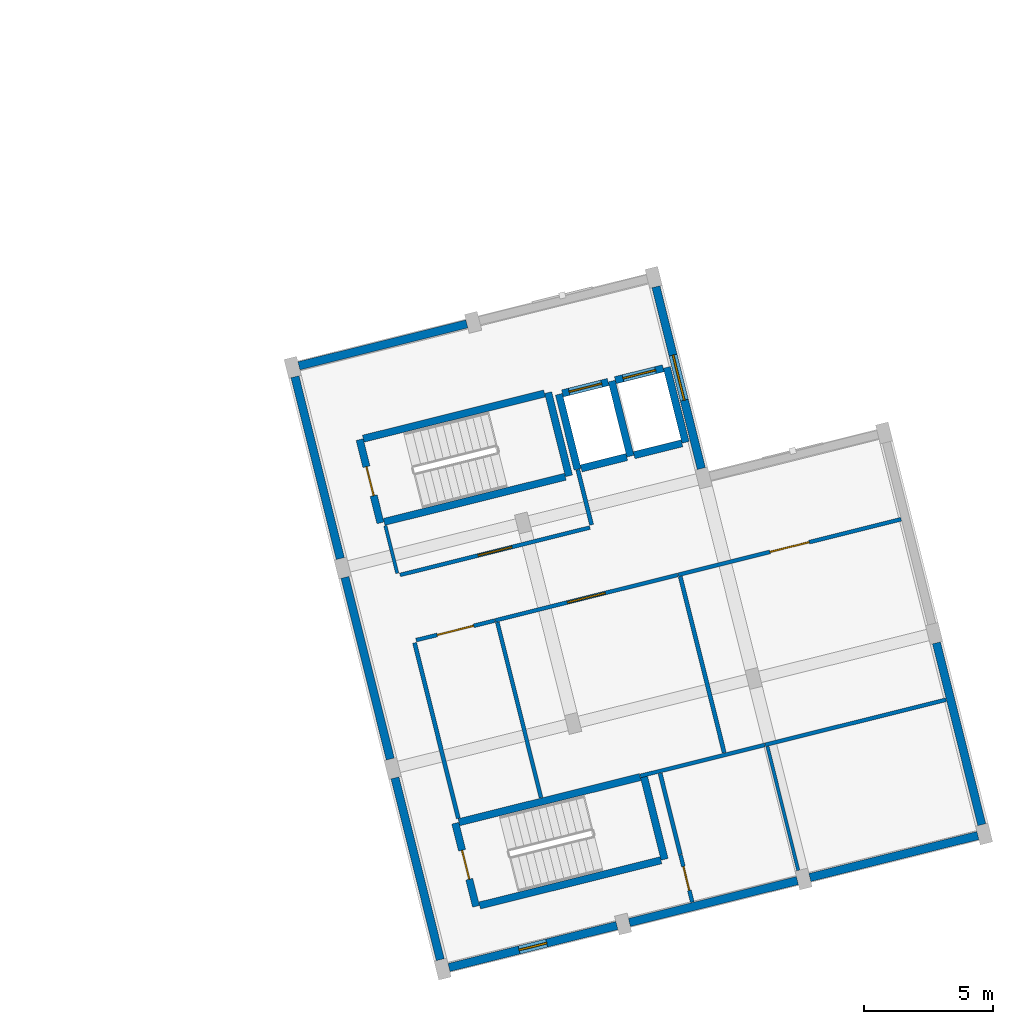
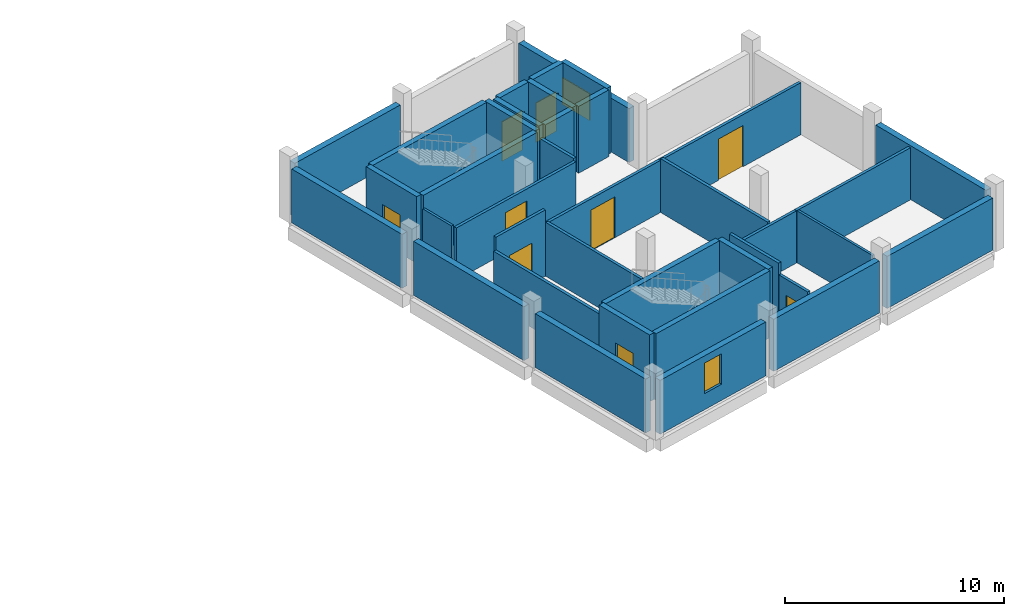
# One storey, part 5 of 8: 38 walls, 9 doors, 2 windows, 11 openings.
"""IFC4 building model written with IfcOpenShell, lengths in metres."""

from ifc_helpers import new_model, si_unit, direction, frame, frame_2d, origin, place, context, subcontext, project, spatial, rectangle, extrude, material, layer, layer_set, type_object, element, fill, save


model = new_model("IFC4")

# Units and contexts
model_context = context("Model", 3, precision=1e-05, world=origin(), true_north=direction((0.0, 1.0)))
body_context = subcontext(model_context, "Body", "Model", "MODEL_VIEW")
ifc_project = project(units=[si_unit("LENGTHUNIT", "METRE"), si_unit("AREAUNIT", "SQUARE_METRE"), si_unit("VOLUMEUNIT", "CUBIC_METRE"), si_unit("PLANEANGLEUNIT", "RADIAN"), si_unit("MASSUNIT", "GRAM", prefix="KILO")], contexts=[model_context])

# Site, building, storey
site_placement = place(None, origin())
site = spatial("IfcSite", under=ifc_project, at=site_placement, CompositionType="ELEMENT")
building_placement = place(site_placement, origin())
building = spatial("IfcBuilding", under=site, at=building_placement, Name="Mawjan Specialist Oncology Clinic", CompositionType="ELEMENT")
storey_placement = place(building_placement, frame((0.0, 0.0, 21.5)))
storey = spatial("IfcBuildingStorey", under=building, at=storey_placement, Name="L05", CompositionType="ELEMENT", Elevation=21.5)

# Wall, opening, window
ifc_material_1 = material(Name="Precast concrete C40/50", Category="concrete")
ifc_layer_1 = layer(ifc_material_1, 0.320068359375, Name="Precast concrete C40/50", Category="concrete")
ifc_layer_set_1 = layer_set([ifc_layer_1], Name="Precast concrete C40/50")
wall_type_1 = type_object("IfcWallType", Name="EW-320", PredefinedType="SOLIDWALL", material=ifc_layer_set_1)
wall_1_placement = place(storey_placement, frame((134.2568359375, 27.20703125, 0.0), z_axis=(0.0, 0.0, 1.0), x_axis=(0.241917549853, -0.970296809782, 0.0)))
wall_1 = element("IfcWall", 1, at=wall_1_placement, inside=storey, type_object=wall_type_1, Name="L05 Coral-Limestone Exterior Wall EW-L05-364", PredefinedType="SOLIDWALL", context=body_context, shape_type="SweptSolid", body=[
    extrude(rectangle(XDim=7.25, YDim=0.320068359375, at=frame_2d((3.625, 0.0))), origin(), (0.0, 0.0, 1.0), 3.0048828125),
])
opening_1_placement = place(wall_1_placement, frame((2.72509765625, 0.0, 0.89990234375)))
opening_1 = element("IfcOpeningElement", 2, at=opening_1_placement, cuts=wall_1, Name="Opening WN-22", PredefinedType="OPENING", context=body_context, shape_type="SweptSolid", body=[
    extrude(rectangle(XDim=1.800048828125, YDim=1.5, at=frame_2d((0.89990234375, 0.75))), frame((0.0, 0.172119140625, 0.0), z_axis=(0.0, -1.0, 0.0), x_axis=(1.0, 0.0, 0.0)), (0.0, 0.0, 1.0), 0.343994140625),
])
ifc_material_2 = material(Name="Thermally broken low-E clinical aluminium window", Category="aluminium")
window_type_1 = type_object("IfcWindowType", Name="WN-22", PartitioningType="DOUBLE_PANEL_VERTICAL", PredefinedType="WINDOW", material=ifc_material_2)
window_1_placement = place(opening_1_placement, origin())
window_1 = element("IfcWindow", 3, at=window_1_placement, inside=storey, type_object=window_type_1, Name="L05 Clinical Low-E Window 078", OverallHeight=1.5, OverallWidth=1.800048828125, PartitioningType="DOUBLE_PANEL_VERTICAL", PredefinedType="WINDOW", context=body_context, shape_type="SweptSolid", body=[
    extrude(rectangle(XDim=1.800048828125, YDim=1.5, at=frame_2d((0.89990234375, 0.75))), frame((0.0, 0.030029296875, 0.0), z_axis=(0.0, -1.0, 0.0), x_axis=(1.0, 0.0, 0.0)), (0.0, 0.0, 1.0), 0.06005859375),
])
fill(opening_1, window_1)

# Walls
wall_2_placement = place(storey_placement, frame((145.11376953125, 13.424072265625, 0.0), z_axis=(0.0, 0.0, 1.0), x_axis=(0.241917549853, -0.970296809782, 0.0)))
element("IfcWall", 4, at=wall_2_placement, inside=storey, type_object=wall_type_1, Name="L05 Coral-Limestone Exterior Wall EW-L05-367", PredefinedType="SOLIDWALL", context=body_context, shape_type="SweptSolid", body=[
    extrude(rectangle(XDim=7.25, YDim=0.320068359375, at=frame_2d((3.625, 0.0))), origin(), (0.0, 0.0, 1.0), 3.0048828125),
])
for number, where, z_axis, x_axis, name in (
    (5, (146.7158203125, 5.965087890625, 0.0), (0.0, 0.0, 1.0), (-0.970296633454, -0.241918257079, 0.0), "L05 Coral-Limestone Exterior Wall EW-L05-368"),
    (6, (139.729736328125, 4.22314453125, 0.0), (0.0, 0.0, 1.0), (-0.970296633454, -0.241918257079, 0.0), "L05 Coral-Limestone Exterior Wall EW-L05-369"),
):
    element("IfcWall", number, at=place(storey_placement, frame(where, z_axis=z_axis, x_axis=x_axis)), inside=storey, type_object=wall_type_1, Name=name, PredefinedType="SOLIDWALL", context=body_context, shape_type="SweptSolid", body=[
        extrude(rectangle(XDim=6.699951171875, YDim=0.320068359375, at=frame_2d((3.35009765625, 0.0))), origin(), (0.0, 0.0, 1.0), 2.905029296875),
    ])

# Wall, opening, window
wall_3_placement = place(storey_placement, frame((132.74365234375, 2.4814453125, 0.0), z_axis=(0.0, 0.0, 1.0), x_axis=(-0.970296633454, -0.241918257079, 0.0)))
wall_3 = element("IfcWall", 7, at=wall_3_placement, inside=storey, type_object=wall_type_1, Name="L05 Coral-Limestone Exterior Wall EW-L05-370", PredefinedType="SOLIDWALL", context=body_context, shape_type="SweptSolid", body=[
    extrude(rectangle(XDim=6.699951171875, YDim=0.320068359375, at=frame_2d((3.35009765625, 0.0))), origin(), (0.0, 0.0, 1.0), 3.0048828125),
])
opening_2_placement = place(wall_3_placement, frame((2.800048828125, 0.0, 0.89990234375)))
opening_2 = element("IfcOpeningElement", 8, at=opening_2_placement, cuts=wall_3, Name="Opening WN-07", PredefinedType="OPENING", context=body_context, shape_type="SweptSolid", body=[
    extrude(rectangle(XDim=1.10009765625, YDim=1.699951171875, at=frame_2d((0.550048828125, 0.85009765625))), frame((0.0, 0.172119140625, 0.0), z_axis=(0.0, -1.0, 0.0), x_axis=(1.0, 0.0, 0.0)), (0.0, 0.0, 1.0), 0.343994140625),
])
ifc_material_3 = material(Name="Thermally broken low-E clinical aluminium window", Category="aluminium")
window_type_2 = type_object("IfcWindowType", Name="WN-07", PartitioningType="SINGLE_PANEL", PredefinedType="WINDOW", material=ifc_material_3)
window_2_placement = place(opening_2_placement, origin())
window_2 = element("IfcWindow", 9, at=window_2_placement, inside=storey, type_object=window_type_2, Name="L05 Clinical Low-E Window 079", OverallHeight=1.699951171875, OverallWidth=1.10009765625, PartitioningType="SINGLE_PANEL", PredefinedType="WINDOW", context=body_context, shape_type="SweptSolid", body=[
    extrude(rectangle(XDim=1.10009765625, YDim=1.699951171875, at=frame_2d((0.550048828125, 0.85009765625))), frame((0.0, 0.030029296875, 0.0), z_axis=(0.0, -1.0, 0.0), x_axis=(1.0, 0.0, 0.0)), (0.0, 0.0, 1.0), 0.06005859375),
])
fill(opening_2, window_2)

# Walls
for number, where, z_axis, x_axis, name in (
    (10, (125.9091796875, 1.163818359375, 0.0), (0.0, 0.0, 1.0), (-0.241917549853, 0.970296809782, 0.0), "L05 Coral-Limestone Exterior Wall EW-L05-371"),
    (11, (123.973876953125, 8.92626953125, 0.0), (0.0, 0.0, 1.0), (-0.241917549853, 0.970296809782, 0.0), "L05 Coral-Limestone Exterior Wall EW-L05-372"),
    (12, (122.03857421875, 16.6884765625, 0.0), (0.0, 0.0, 1.0), (-0.241917549853, 0.970296809782, 0.0), "L05 Coral-Limestone Exterior Wall EW-L05-373"),
):
    element("IfcWall", number, at=place(storey_placement, frame(where, z_axis=z_axis, x_axis=x_axis)), inside=storey, type_object=wall_type_1, Name=name, PredefinedType="SOLIDWALL", context=body_context, shape_type="SweptSolid", body=[
        extrude(rectangle(XDim=7.25, YDim=0.320068359375, at=frame_2d((3.625, 0.0))), origin(), (0.0, 0.0, 1.0), 3.0048828125),
    ])
wall_4_placement = place(storey_placement, frame((120.4365234375, 24.1474609375, 0.0), z_axis=(0.0, 0.0, 1.0), x_axis=(0.970288079516, 0.241952563016, 0.0)))
element("IfcWall", 13, at=wall_4_placement, inside=storey, type_object=wall_type_1, Name="L05 Coral-Limestone Exterior Wall EW-L05-374", PredefinedType="SOLIDWALL", context=body_context, shape_type="SweptSolid", body=[
    extrude(rectangle(XDim=6.699951171875, YDim=0.320068359375, at=frame_2d((3.35009765625, 0.0))), origin(), (0.0, 0.0, 1.0), 3.0048828125),
])
ifc_material_4 = material(Name="Concrete C45/55", Category="concrete")
ifc_layer_2 = layer(ifc_material_4, 0.280029296875, Name="Concrete C45/55", Category="concrete")
ifc_layer_set_2 = layer_set([ifc_layer_2], Name="Concrete C45/55")
wall_type_2 = type_object("IfcWallType", Name="SW-300", PredefinedType="SHEAR", material=ifc_layer_set_2)
wall_5_placement = place(storey_placement, frame((123.731201171875, 18.105224609375, 0.0), z_axis=(0.0, 0.0, 1.0), x_axis=(0.970297238923, 0.241915828623, 0.0)))
element("IfcWall", 14, at=wall_5_placement, inside=storey, type_object=wall_type_2, Name="L05 Core K5 Stair Shear Wall 1", PredefinedType="SHEAR", context=body_context, shape_type="SweptSolid", body=[
    extrude(rectangle(XDim=7.22998046875, YDim=0.280029296875, at=frame_2d((3.614990234375, 0.0))), origin(), (0.0, 0.0, 1.0), 3.719970703125),
])
wall_6_placement = place(storey_placement, frame((130.886962890625, 19.889404296875, 0.0), z_axis=(0.0, 0.0, 1.0), x_axis=(-0.241947258837, 0.970289402158, 0.0)))
element("IfcWall", 15, at=wall_6_placement, inside=storey, type_object=wall_type_2, Name="L05 Core K5 Stair Shear Wall 2", PredefinedType="SHEAR", context=body_context, shape_type="SweptSolid", body=[
    extrude(rectangle(XDim=3.31982421875, YDim=0.280029296875, at=frame_2d((1.659912109375, 0.0))), origin(), (0.0, 0.0, 1.0), 3.719970703125),
])
wall_7_placement = place(storey_placement, frame((129.943115234375, 23.07568359375, 0.0), z_axis=(0.0, 0.0, 1.0), x_axis=(-0.970289312034, -0.241947620266, 0.0)))
element("IfcWall", 16, at=wall_7_placement, inside=storey, type_object=wall_type_2, Name="L05 Core K5 Stair Shear Wall 3", PredefinedType="SHEAR", context=body_context, shape_type="SweptSolid", body=[
    extrude(rectangle(XDim=7.22998046875, YDim=0.280029296875, at=frame_2d((3.614990234375, 0.0))), origin(), (0.0, 0.0, 1.0), 3.719970703125),
])

# Wall, opening, door
wall_8_placement = place(storey_placement, frame((122.787353515625, 21.29150390625, 0.0), z_axis=(0.0, 0.0, 1.0), x_axis=(0.241860763027, -0.970310966293, 0.0)))
wall_8 = element("IfcWall", 17, at=wall_8_placement, inside=storey, type_object=wall_type_2, Name="L05 Core K5 Stair Shear Wall 4", PredefinedType="SHEAR", context=body_context, shape_type="SweptSolid", body=[
    extrude(rectangle(XDim=3.320068359375, YDim=0.280029296875, at=frame_2d((1.66015625, 0.0))), origin(), (0.0, 0.0, 1.0), 3.719970703125),
])
opening_3_placement = place(wall_8_placement, frame((1.0849609375, 0.0, 0.0)))
opening_3 = element("IfcOpeningElement", 18, at=opening_3_placement, cuts=wall_8, Name="Opening FD-90", PredefinedType="OPENING", context=body_context, shape_type="SweptSolid", body=[
    extrude(rectangle(XDim=1.14990234375, YDim=2.14990234375, at=frame_2d((0.574951171875, 1.074951171875))), frame((0.0, 0.152099609375, 0.0), z_axis=(0.0, -1.0, 0.0), x_axis=(1.0, 0.0, 0.0)), (0.0, 0.0, 1.0), 0.303955078125),
])
ifc_material_5 = material(Name="Stainless-steel fire-rated hospital door", Category="steel")
door_type_1 = type_object("IfcDoorType", Name="FD-90", OperationType="NOTDEFINED", PredefinedType="DOOR", material=ifc_material_5)
door_1_placement = place(opening_3_placement, origin())
door_1 = element("IfcDoor", 19, at=door_1_placement, inside=storey, type_object=door_type_1, Name="L05 ST-05 Fire Exit Stair Door", OperationType="SINGLE_SWING_RIGHT", OverallHeight=2.14990234375, OverallWidth=1.14990234375, PredefinedType="DOOR", context=body_context, shape_type="SweptSolid", body=[
    extrude(rectangle(XDim=1.14990234375, YDim=2.14990234375, at=frame_2d((0.574951171875, 1.074951171875))), frame((0.0, 0.02490234375, 0.0), z_axis=(0.0, -1.0, 0.0), x_axis=(1.0, 0.0, 0.0)), (0.0, 0.0, 1.0), 0.050048828125),
])
fill(opening_3, door_1)

# Walls
wall_9_placement = place(storey_placement, frame((131.36328125, 20.17578125, 0.0), z_axis=(0.0, 0.0, 1.0), x_axis=(0.970284587517, 0.241966566341, 0.0)))
element("IfcWall", 20, at=wall_9_placement, inside=storey, type_object=wall_type_2, Name="L05 LF-01 Hoistway Wall 1", PredefinedType="SHEAR", context=body_context, shape_type="SweptSolid", body=[
    extrude(rectangle(XDim=1.817138671875, YDim=0.280029296875, at=frame_2d((0.90869140625, 0.0))), origin(), (0.0, 0.0, 1.0), 3.719970703125),
])
wall_10_placement = place(storey_placement, frame((133.26708984375, 20.650634765625, 0.0), z_axis=(0.0, 0.0, 1.0), x_axis=(-0.241921647353, 0.970295788171, 0.0)))
element("IfcWall", 21, at=wall_10_placement, inside=storey, type_object=wall_type_2, Name="L05 LF-01 Hoistway Wall 2", PredefinedType="SHEAR", context=body_context, shape_type="SweptSolid", body=[
    extrude(rectangle(XDim=2.994140625, YDim=0.280029296875, at=frame_2d((1.4970703125, 0.0))), origin(), (0.0, 0.0, 1.0), 3.719970703125),
])

# Wall, opening, door
wall_11_placement = place(storey_placement, frame((132.402099609375, 23.52099609375, 0.0), z_axis=(0.0, 0.0, 1.0), x_axis=(-0.970284587517, -0.241966566341, 0.0)))
wall_11 = element("IfcWall", 22, at=wall_11_placement, inside=storey, type_object=wall_type_2, Name="L05 LF-01 Hoistway Wall 3", PredefinedType="SHEAR", context=body_context, shape_type="SweptSolid", body=[
    extrude(rectangle(XDim=1.817138671875, YDim=0.280029296875, at=frame_2d((0.90869140625, 0.0))), origin(), (0.0, 0.0, 1.0), 3.719970703125),
])
opening_4_placement = place(wall_11_placement, frame((0.258544921875, 0.0, 0.0)))
opening_4 = element("IfcOpeningElement", 23, at=opening_4_placement, cuts=wall_11, Name="Opening LD-01-L05", PredefinedType="OPENING", context=body_context, shape_type="SweptSolid", body=[
    extrude(rectangle(XDim=1.300048828125, YDim=2.199951171875, at=frame_2d((0.64990234375, 1.10009765625))), frame((0.0, 0.152099609375, 0.0), z_axis=(0.0, -1.0, 0.0), x_axis=(1.0, 0.0, 0.0)), (0.0, 0.0, 1.0), 0.303955078125),
])
ifc_material_6 = material(Name="Stainless-steel fire-rated hospital door", Category="steel")
door_type_2 = type_object("IfcDoorType", Name="LD-130", OperationType="SLIDING_TO_LEFT", PredefinedType="DOOR", material=ifc_material_6)
door_2_placement = place(opening_4_placement, origin())
door_2 = element("IfcDoor", 24, at=door_2_placement, inside=storey, type_object=door_type_2, Name="L05 LF-01 Sliding Lift Landing Door", OperationType="SLIDING_TO_LEFT", OverallHeight=2.199951171875, OverallWidth=1.300048828125, PredefinedType="DOOR", context=body_context, shape_type="SweptSolid", body=[
    extrude(rectangle(XDim=1.300048828125, YDim=2.199951171875, at=frame_2d((0.64990234375, 1.10009765625))), frame((0.0, 0.02490234375, 0.0), z_axis=(0.0, -1.0, 0.0), x_axis=(1.0, 0.0, 0.0)), (0.0, 0.0, 1.0), 0.050048828125),
])
fill(opening_4, door_2)

# Walls
wall_12_placement = place(storey_placement, frame((130.498291015625, 23.046142578125, 0.0), z_axis=(0.0, 0.0, 1.0), x_axis=(0.241921647353, -0.970295788171, 0.0)))
element("IfcWall", 25, at=wall_12_placement, inside=storey, type_object=wall_type_2, Name="L05 LF-01 Hoistway Wall 4", PredefinedType="SHEAR", context=body_context, shape_type="SweptSolid", body=[
    extrude(rectangle(XDim=2.994140625, YDim=0.280029296875, at=frame_2d((1.4970703125, 0.0))), origin(), (0.0, 0.0, 1.0), 3.719970703125),
])
wall_13_placement = place(storey_placement, frame((133.407958984375, 20.685546875, 0.0), z_axis=(0.0, 0.0, 1.0), x_axis=(0.970285190026, 0.241964150272, 0.0)))
element("IfcWall", 26, at=wall_13_placement, inside=storey, type_object=wall_type_2, Name="L05 LF-02 Hoistway Wall 1", PredefinedType="SHEAR", context=body_context, shape_type="SweptSolid", body=[
    extrude(rectangle(XDim=1.909912109375, YDim=0.280029296875, at=frame_2d((0.955078125, 0.0))), origin(), (0.0, 0.0, 1.0), 3.719970703125),
])
wall_14_placement = place(storey_placement, frame((135.40185546875, 21.182861328125, 0.0), z_axis=(0.0, 0.0, 1.0), x_axis=(-0.241921647353, 0.970295788171, 0.0)))
element("IfcWall", 27, at=wall_14_placement, inside=storey, type_object=wall_type_2, Name="L05 LF-02 Hoistway Wall 2", PredefinedType="SHEAR", context=body_context, shape_type="SweptSolid", body=[
    extrude(rectangle(XDim=2.994140625, YDim=0.280029296875, at=frame_2d((1.4970703125, 0.0))), origin(), (0.0, 0.0, 1.0), 3.719970703125),
])

# Wall, opening, door
wall_15_placement = place(storey_placement, frame((134.53662109375, 24.05322265625, 0.0), z_axis=(0.0, 0.0, 1.0), x_axis=(-0.970285190026, -0.241964150272, 0.0)))
wall_15 = element("IfcWall", 28, at=wall_15_placement, inside=storey, type_object=wall_type_2, Name="L05 LF-02 Hoistway Wall 3", PredefinedType="SHEAR", context=body_context, shape_type="SweptSolid", body=[
    extrude(rectangle(XDim=1.909912109375, YDim=0.280029296875, at=frame_2d((0.955078125, 0.0))), origin(), (0.0, 0.0, 1.0), 3.719970703125),
])
opening_5_placement = place(wall_15_placement, frame((0.304931640625, 0.0, 0.0)))
opening_5 = element("IfcOpeningElement", 29, at=opening_5_placement, cuts=wall_15, Name="Opening LD-02-L05", PredefinedType="OPENING", context=body_context, shape_type="SweptSolid", body=[
    extrude(rectangle(XDim=1.300048828125, YDim=2.199951171875, at=frame_2d((0.64990234375, 1.10009765625))), frame((0.0, 0.152099609375, 0.0), z_axis=(0.0, -1.0, 0.0), x_axis=(1.0, 0.0, 0.0)), (0.0, 0.0, 1.0), 0.303955078125),
])
door_3_placement = place(opening_5_placement, origin())
door_3 = element("IfcDoor", 30, at=door_3_placement, inside=storey, type_object=door_type_2, Name="L05 LF-02 Sliding Lift Landing Door", OperationType="SLIDING_TO_RIGHT", OverallHeight=2.199951171875, OverallWidth=1.300048828125, PredefinedType="DOOR", context=body_context, shape_type="SweptSolid", body=[
    extrude(rectangle(XDim=1.300048828125, YDim=2.199951171875, at=frame_2d((0.64990234375, 1.10009765625))), frame((0.0, 0.02490234375, 0.0), z_axis=(0.0, -1.0, 0.0), x_axis=(1.0, 0.0, 0.0)), (0.0, 0.0, 1.0), 0.050048828125),
])
fill(opening_5, door_3)

# Walls
wall_16_placement = place(storey_placement, frame((127.4326171875, 3.259521484375, 0.0), z_axis=(0.0, 0.0, 1.0), x_axis=(0.970289312034, 0.241947620266, 0.0)))
element("IfcWall", 31, at=wall_16_placement, inside=storey, type_object=wall_type_2, Name="L05 Core K6 Stair Shear Wall 1", PredefinedType="SHEAR", context=body_context, shape_type="SweptSolid", body=[
    extrude(rectangle(XDim=7.22998046875, YDim=0.280029296875, at=frame_2d((3.614990234375, 0.0))), origin(), (0.0, 0.0, 1.0), 3.719970703125),
])
wall_17_placement = place(storey_placement, frame((134.58837890625, 5.043701171875, 0.0), z_axis=(0.0, 0.0, 1.0), x_axis=(-0.241929995817, 0.970293706629, 0.0)))
element("IfcWall", 32, at=wall_17_placement, inside=storey, type_object=wall_type_2, Name="L05 Core K6 Stair Shear Wall 2", PredefinedType="SHEAR", context=body_context, shape_type="SweptSolid", body=[
    extrude(rectangle(XDim=3.320068359375, YDim=0.280029296875, at=frame_2d((1.66015625, 0.0))), origin(), (0.0, 0.0, 1.0), 3.719970703125),
])
wall_18_placement = place(storey_placement, frame((133.64453125, 8.22998046875, 0.0), z_axis=(0.0, 0.0, 1.0), x_axis=(-0.970297238923, -0.241915828623, 0.0)))
element("IfcWall", 33, at=wall_18_placement, inside=storey, type_object=wall_type_2, Name="L05 Core K6 Stair Shear Wall 3", PredefinedType="SHEAR", context=body_context, shape_type="SweptSolid", body=[
    extrude(rectangle(XDim=7.22998046875, YDim=0.280029296875, at=frame_2d((3.614990234375, 0.0))), origin(), (0.0, 0.0, 1.0), 3.719970703125),
])

# Wall, opening, door
wall_19_placement = place(storey_placement, frame((126.488525390625, 6.44580078125, 0.0), z_axis=(0.0, 0.0, 1.0), x_axis=(0.241947258837, -0.970289402158, 0.0)))
wall_19 = element("IfcWall", 34, at=wall_19_placement, inside=storey, type_object=wall_type_2, Name="L05 Core K6 Stair Shear Wall 4", PredefinedType="SHEAR", context=body_context, shape_type="SweptSolid", body=[
    extrude(rectangle(XDim=3.31982421875, YDim=0.280029296875, at=frame_2d((1.659912109375, 0.0))), origin(), (0.0, 0.0, 1.0), 3.719970703125),
])
opening_6_placement = place(wall_19_placement, frame((1.0849609375, 0.0, 0.0)))
opening_6 = element("IfcOpeningElement", 35, at=opening_6_placement, cuts=wall_19, Name="Opening FD-90", PredefinedType="OPENING", context=body_context, shape_type="SweptSolid", body=[
    extrude(rectangle(XDim=1.14990234375, YDim=2.14990234375, at=frame_2d((0.574951171875, 1.074951171875))), frame((0.0, 0.152099609375, 0.0), z_axis=(0.0, -1.0, 0.0), x_axis=(1.0, 0.0, 0.0)), (0.0, 0.0, 1.0), 0.303955078125),
])
door_4_placement = place(opening_6_placement, origin())
door_4 = element("IfcDoor", 36, at=door_4_placement, inside=storey, type_object=door_type_1, Name="L05 ST-06 Fire Exit Stair Door", OperationType="SINGLE_SWING_RIGHT", OverallHeight=2.14990234375, OverallWidth=1.14990234375, PredefinedType="DOOR", context=body_context, shape_type="SweptSolid", body=[
    extrude(rectangle(XDim=1.14990234375, YDim=2.14990234375, at=frame_2d((0.574951171875, 1.074951171875))), frame((0.0, 0.02490234375, 0.0), z_axis=(0.0, -1.0, 0.0), x_axis=(1.0, 0.0, 0.0)), (0.0, 0.0, 1.0), 0.050048828125),
])
fill(opening_6, door_4)

# Walls
ifc_material_7 = material(Name="Moisture-resistant washroom partition", Category="gypsum")
ifc_layer_3 = layer(ifc_material_7, 0.125, Name="Moisture-resistant washroom partition", Category="gypsum")
ifc_layer_set_3 = layer_set([ifc_layer_3], Name="Moisture-resistant washroom partition")
wall_type_3 = type_object("IfcWallType", Name="WP-125", PredefinedType="PARTITIONING", material=ifc_layer_set_3)
wall_20_placement = place(storey_placement, frame((124.242919921875, 16.11474609375, 0.0), z_axis=(0.0, 0.0, 1.0), x_axis=(-0.241962034071, 0.970285717749, 0.0)))
element("IfcWall", 37, at=wall_20_placement, inside=storey, type_object=wall_type_3, Name="L05 Interior Partition W-RINT-L05-RKS-W", PredefinedType="PARTITIONING", context=body_context, shape_type="SweptSolid", body=[
    extrude(rectangle(XDim=1.903076171875, YDim=0.125, at=frame_2d((0.95166015625, 0.0))), origin(), (0.0, 0.0, 1.0), 3.0048828125),
])
wall_21_placement = place(storey_placement, frame((139.765869140625, 4.615478515625, 0.0), z_axis=(0.0, 0.0, 1.0), x_axis=(-0.241908041606, 0.970299180359, 0.0)))
element("IfcWall", 38, at=wall_21_placement, inside=storey, type_object=wall_type_3, Name="L05 Interior Partition W-RINT-L05-RSE-E", PredefinedType="PARTITIONING", context=body_context, shape_type="SweptSolid", body=[
    extrude(rectangle(XDim=4.943115234375, YDim=0.125, at=frame_2d((2.4716796875, 0.0))), origin(), (0.0, 0.0, 1.0), 2.905029296875),
])

# Wall, opening, door
ifc_material_8 = material(Name="Acoustic gypsum clinical partition", Category="gypsum")
ifc_layer_4 = layer(ifc_material_8, 0.14990234375, Name="Acoustic gypsum clinical partition", Category="gypsum")
ifc_layer_set_4 = layer_set([ifc_layer_4], Name="Acoustic gypsum clinical partition")
wall_type_4 = type_object("IfcWallType", Name="WP-150", PredefinedType="PARTITIONING", material=ifc_layer_set_4)
wall_22_placement = place(storey_placement, frame((124.345947265625, 16.052978515625, 0.0), z_axis=(0.0, 0.0, 1.0), x_axis=(0.970295772287, 0.241921711059, 0.0)))
wall_22 = element("IfcWall", 39, at=wall_22_placement, inside=storey, type_object=wall_type_4, Name="L05 Interior Partition W-RINT-L05-RKS-S", PredefinedType="PARTITIONING", context=body_context, shape_type="SweptSolid", body=[
    extrude(rectangle(XDim=7.579833984375, YDim=0.14990234375, at=frame_2d((3.7900390625, 0.0))), origin(), (0.0, 0.0, 1.0), 2.905029296875),
])
opening_7_placement = place(wall_22_placement, frame((3.1201171875, 0.0, 0.0)))
opening_7 = element("IfcOpeningElement", 40, at=opening_7_placement, cuts=wall_22, Name="Opening DC-134", PredefinedType="OPENING", context=body_context, shape_type="SweptSolid", body=[
    extrude(rectangle(XDim=1.340087890625, YDim=2.239990234375, at=frame_2d((0.669921875, 1.1201171875))), frame((0.0, 0.0869140625, 0.0), z_axis=(0.0, -1.0, 0.0), x_axis=(1.0, 0.0, 0.0)), (0.0, 0.0, 1.0), 0.173828125),
])
ifc_material_9 = material(Name="Acoustic laminate hospital door leaf", Category="wood")
door_type_3 = type_object("IfcDoorType", Name="DC-134", OperationType="NOTDEFINED", PredefinedType="DOOR", material=ifc_material_9)
door_5_placement = place(opening_7_placement, origin())
door_5 = element("IfcDoor", 41, at=door_5_placement, inside=storey, type_object=door_type_3, Name="L05 Computational Oncology Laboratory Door", OperationType="SINGLE_SWING_LEFT", OverallHeight=2.239990234375, OverallWidth=1.340087890625, PredefinedType="DOOR", context=body_context, shape_type="SweptSolid", body=[
    extrude(rectangle(XDim=1.340087890625, YDim=2.239990234375, at=frame_2d((0.669921875, 1.1201171875))), frame((0.0, 0.02490234375, 0.0), z_axis=(0.0, -1.0, 0.0), x_axis=(1.0, 0.0, 0.0)), (0.0, 0.0, 1.0), 0.050048828125),
])
fill(opening_7, door_5)

wall_23_placement = place(storey_placement, frame((135.661376953125, 3.38623046875, 0.0), z_axis=(0.0, 0.0, 1.0), x_axis=(-0.241958983593, 0.970286478448, 0.0)))
wall_23 = element("IfcWall", 42, at=wall_23_placement, inside=storey, type_object=wall_type_4, Name="L05 Interior Partition W-RINT-L05-RSE-W", PredefinedType="PARTITIONING", context=body_context, shape_type="SweptSolid", body=[
    extrude(rectangle(XDim=1.892822265625, YDim=0.14990234375, at=frame_2d((0.9462890625, 0.0))), origin(), (0.0, 0.0, 1.0), 3.054931640625),
])
opening_8_placement = place(wall_23_placement, frame((0.471435546875, 0.0, 0.0)))
opening_8 = element("IfcOpeningElement", 43, at=opening_8_placement, cuts=wall_23, Name="Opening DA-95", PredefinedType="OPENING", context=body_context, shape_type="SweptSolid", body=[
    extrude(rectangle(XDim=0.949951171875, YDim=2.14990234375, at=frame_2d((0.47509765625, 1.074951171875))), frame((0.0, 0.0869140625, 0.0), z_axis=(0.0, -1.0, 0.0), x_axis=(1.0, 0.0, 0.0)), (0.0, 0.0, 1.0), 0.173828125),
])
ifc_material_10 = material(Name="Acoustic laminate hospital door leaf", Category="wood")
door_type_4 = type_object("IfcDoorType", Name="DA-95", OperationType="NOTDEFINED", PredefinedType="DOOR", material=ifc_material_10)
door_6_placement = place(opening_8_placement, origin())
door_6 = element("IfcDoor", 44, at=door_6_placement, inside=storey, type_object=door_type_4, Name="L05 Clinical Protocol Review Office Door", OperationType="SINGLE_SWING_LEFT", OverallHeight=2.14990234375, OverallWidth=0.949951171875, PredefinedType="DOOR", context=body_context, shape_type="SweptSolid", body=[
    extrude(rectangle(XDim=0.949951171875, YDim=2.14990234375, at=frame_2d((0.47509765625, 1.074951171875))), frame((0.0, 0.02490234375, 0.0), z_axis=(0.0, -1.0, 0.0), x_axis=(1.0, 0.0, 0.0)), (0.0, 0.0, 1.0), 0.050048828125),
])
fill(opening_8, door_6)

wall_24_placement = place(storey_placement, frame((124.974853515625, 13.530029296875, 0.0), z_axis=(0.0, 0.0, 1.0), x_axis=(0.970289141252, 0.241948305158, 0.0)))
wall_24 = element("IfcWall", 45, at=wall_24_placement, inside=storey, type_object=wall_type_4, Name="L05 Interior Partition W-RINT-L05-RAS1-N", PredefinedType="PARTITIONING", context=body_context, shape_type="SweptSolid", body=[
    extrude(rectangle(XDim=3.130126953125, YDim=0.14990234375, at=frame_2d((1.56494140625, 0.0))), origin(), (0.0, 0.0, 1.0), 3.699951171875),
])
opening_9_placement = place(wall_24_placement, frame((0.840087890625, 0.0, 0.0)))
opening_9 = element("IfcOpeningElement", 46, at=opening_9_placement, cuts=wall_24, Name="Opening DC-145", PredefinedType="OPENING", context=body_context, shape_type="SweptSolid", body=[
    extrude(rectangle(XDim=1.449951171875, YDim=2.260009765625, at=frame_2d((0.72509765625, 1.1298828125))), frame((0.0, 0.0869140625, 0.0), z_axis=(0.0, -1.0, 0.0), x_axis=(1.0, 0.0, 0.0)), (0.0, 0.0, 1.0), 0.173828125),
])
ifc_material_11 = material(Name="Acoustic laminate hospital door leaf", Category="wood")
door_type_5 = type_object("IfcDoorType", Name="DC-145", OperationType="NOTDEFINED", PredefinedType="DOOR", material=ifc_material_11)
door_7_placement = place(opening_9_placement, origin())
door_7 = element("IfcDoor", 47, at=door_7_placement, inside=storey, type_object=door_type_5, Name="L05 Accessible Toilet Door", OperationType="SINGLE_SWING_RIGHT", OverallHeight=2.260009765625, OverallWidth=1.449951171875, PredefinedType="DOOR", context=body_context, shape_type="SweptSolid", body=[
    extrude(rectangle(XDim=1.449951171875, YDim=2.260009765625, at=frame_2d((0.72509765625, 1.1298828125))), frame((0.0, 0.02490234375, 0.0), z_axis=(0.0, -1.0, 0.0), x_axis=(1.0, 0.0, 0.0)), (0.0, 0.0, 1.0), 0.050048828125),
])
fill(opening_9, door_7)

wall_25_placement = place(storey_placement, frame((128.0234375, 14.290283203125, 0.0), z_axis=(0.0, 0.0, 1.0), x_axis=(0.970294040363, 0.241928657328, 0.0)))
wall_25 = element("IfcWall", 48, at=wall_25_placement, inside=storey, type_object=wall_type_4, Name="L05 Interior Partition W-RINT-L05-RAS2-N", PredefinedType="PARTITIONING", context=body_context, shape_type="SweptSolid", body=[
    extrude(rectangle(XDim=7.2880859375, YDim=0.14990234375, at=frame_2d((3.64404296875, 0.0))), origin(), (0.0, 0.0, 1.0), 2.905029296875),
])
opening_10_placement = place(wall_25_placement, frame((2.89404296875, 0.0, 0.0)))
opening_10 = element("IfcOpeningElement", 49, at=opening_10_placement, cuts=wall_25, Name="Opening DC-150", PredefinedType="OPENING", context=body_context, shape_type="SweptSolid", body=[
    extrude(rectangle(XDim=1.5, YDim=2.280029296875, at=frame_2d((0.75, 1.14013671875))), frame((0.0, 0.0869140625, 0.0), z_axis=(0.0, -1.0, 0.0), x_axis=(1.0, 0.0, 0.0)), (0.0, 0.0, 1.0), 0.173828125),
])
ifc_material_12 = material(Name="Acoustic laminate hospital door leaf", Category="wood")
door_type_6 = type_object("IfcDoorType", Name="DC-150", OperationType="NOTDEFINED", PredefinedType="DOOR", material=ifc_material_12)
door_8_placement = place(opening_10_placement, origin())
door_8 = element("IfcDoor", 50, at=door_8_placement, inside=storey, type_object=door_type_6, Name="L05 Phase I Clinical Trials Laboratory Door", OperationType="SINGLE_SWING_RIGHT", OverallHeight=2.280029296875, OverallWidth=1.5, PredefinedType="DOOR", context=body_context, shape_type="SweptSolid", body=[
    extrude(rectangle(XDim=1.5, YDim=2.280029296875, at=frame_2d((0.75, 1.14013671875))), frame((0.0, 0.02490234375, 0.0), z_axis=(0.0, -1.0, 0.0), x_axis=(1.0, 0.0, 0.0)), (0.0, 0.0, 1.0), 0.050048828125),
])
fill(opening_10, door_8)

wall_26_placement = place(storey_placement, frame((135.106689453125, 16.056396484375, 0.0), z_axis=(0.0, 0.0, 1.0), x_axis=(0.970295585276, 0.24192246112, 0.0)))
wall_26 = element("IfcWall", 51, at=wall_26_placement, inside=storey, type_object=wall_type_4, Name="L05 Interior Partition W-RINT-L05-RBS3-N", PredefinedType="PARTITIONING", context=body_context, shape_type="SweptSolid", body=[
    extrude(rectangle(XDim=8.90087890625, YDim=0.14990234375, at=frame_2d((4.450439453125, 0.0))), origin(), (0.0, 0.0, 1.0), 2.905029296875),
])
opening_11_placement = place(wall_26_placement, frame((3.67041015625, 0.0, 0.0)))
opening_11 = element("IfcOpeningElement", 52, at=opening_11_placement, cuts=wall_26, Name="Opening DC-156", PredefinedType="OPENING", context=body_context, shape_type="SweptSolid", body=[
    extrude(rectangle(XDim=1.56005859375, YDim=2.300048828125, at=frame_2d((0.780029296875, 1.14990234375))), frame((0.0, 0.0869140625, 0.0), z_axis=(0.0, -1.0, 0.0), x_axis=(1.0, 0.0, 0.0)), (0.0, 0.0, 1.0), 0.173828125),
])
ifc_material_13 = material(Name="Acoustic laminate hospital door leaf", Category="wood")
door_type_7 = type_object("IfcDoorType", Name="DC-156", OperationType="NOTDEFINED", PredefinedType="DOOR", material=ifc_material_13)
door_9_placement = place(opening_11_placement, origin())
door_9 = element("IfcDoor", 53, at=door_9_placement, inside=storey, type_object=door_type_7, Name="L05 Biostatistics Research Room Door", OperationType="SINGLE_SWING_LEFT", OverallHeight=2.300048828125, OverallWidth=1.56005859375, PredefinedType="DOOR", context=body_context, shape_type="SweptSolid", body=[
    extrude(rectangle(XDim=1.56005859375, YDim=2.300048828125, at=frame_2d((0.780029296875, 1.14990234375))), frame((0.0, 0.02490234375, 0.0), z_axis=(0.0, -1.0, 0.0), x_axis=(1.0, 0.0, 0.0)), (0.0, 0.0, 1.0), 0.050048828125),
])
fill(opening_11, door_9)

# Walls
wall_27_placement = place(storey_placement, frame((133.646484375, 8.271728515625, 0.0), z_axis=(0.0, 0.0, 1.0), x_axis=(0.970295511907, 0.241922755387, 0.0)))
element("IfcWall", 54, at=wall_27_placement, inside=storey, type_object=wall_type_4, Name="L05 Interior Partition W-RINT-L05-RSE-N", PredefinedType="PARTITIONING", context=body_context, shape_type="SweptSolid", body=[
    extrude(rectangle(XDim=4.968017578125, YDim=0.14990234375, at=frame_2d((2.48388671875, 0.0))), origin(), (0.0, 0.0, 1.0), 2.905029296875),
])
wall_28_placement = place(storey_placement, frame((129.80908203125, 7.430419921875, 0.0), z_axis=(0.0, 0.0, 1.0), x_axis=(-0.241911968874, 0.970298201233, 0.0)))
element("IfcWall", 55, at=wall_28_placement, inside=storey, type_object=wall_type_4, Name="L05 Interior Partition W-RINT-L05-RAS1-E", PredefinedType="PARTITIONING", context=body_context, shape_type="SweptSolid", body=[
    extrude(rectangle(XDim=7.0009765625, YDim=0.14990234375, at=frame_2d((3.50048828125, 0.0))), origin(), (0.0, 0.0, 1.0), 3.0048828125),
])
wall_29_placement = place(storey_placement, frame((138.478515625, 9.4765625, 0.0), z_axis=(0.0, 0.0, 1.0), x_axis=(0.970299411415, 0.241907114836, 0.0)))
element("IfcWall", 56, at=wall_29_placement, inside=storey, type_object=wall_type_4, Name="L05 Interior Partition W-RINT-L05-RBS3-S", PredefinedType="PARTITIONING", context=body_context, shape_type="SweptSolid", body=[
    extrude(rectangle(XDim=7.220947265625, YDim=0.14990234375, at=frame_2d((3.6103515625, 0.0))), origin(), (0.0, 0.0, 1.0), 2.905029296875),
])
ifc_material_14 = material(Name="Acoustic clinical twin-stud partition", Category="gypsum")
ifc_layer_5 = layer(ifc_material_14, 0.159912109375, Name="Acoustic clinical twin-stud partition", Category="gypsum")
ifc_layer_set_5 = layer_set([ifc_layer_5], Name="Acoustic clinical twin-stud partition")
wall_type_5 = type_object("IfcWallType", Name="WP-160", PredefinedType="PARTITIONING", material=ifc_layer_set_5)
wall_30_placement = place(storey_placement, frame((131.7626953125, 17.98974609375, 0.0), z_axis=(0.0, 0.0, 1.0), x_axis=(-0.241962612769, 0.970285573438, 0.0)))
element("IfcWall", 57, at=wall_30_placement, inside=storey, type_object=wall_type_5, Name="L05 Interior Partition W-RINT-L05-RKS-E", PredefinedType="PARTITIONING", context=body_context, shape_type="SweptSolid", body=[
    extrude(rectangle(XDim=2.20556640625, YDim=0.159912109375, at=frame_2d((1.102783203125, 0.0))), origin(), (0.0, 0.0, 1.0), 3.0048828125),
])
wall_31_placement = place(storey_placement, frame((135.200439453125, 5.234619140625, 0.0), z_axis=(0.0, 0.0, 1.0), x_axis=(-0.241878748512, 0.970306483034, 0.0)))
element("IfcWall", 58, at=wall_31_placement, inside=storey, type_object=wall_type_5, Name="L05 Interior Partition W-RINT-L05-RSE-WB", PredefinedType="PARTITIONING", context=body_context, shape_type="SweptSolid", body=[
    extrude(rectangle(XDim=3.236083984375, YDim=0.159912109375, at=frame_2d((1.6181640625, 0.0))), origin(), (0.0, 0.0, 1.0), 3.699951171875),
])
wall_32_placement = place(storey_placement, frame((126.607177734375, 6.632080078125, 0.0), z_axis=(0.0, 0.0, 1.0), x_axis=(-0.241944970231, 0.970289972833, 0.0)))
element("IfcWall", 59, at=wall_32_placement, inside=storey, type_object=wall_type_5, Name="L05 Interior Partition W-RINT-L05-RAS1-W", PredefinedType="PARTITIONING", context=body_context, shape_type="SweptSolid", body=[
    extrude(rectangle(XDim=7.0029296875, YDim=0.159912109375, at=frame_2d((3.50146484375, 0.0))), origin(), (0.0, 0.0, 1.0), 3.0048828125),
])
wall_33_placement = place(storey_placement, frame((136.898193359375, 9.172119140625, 0.0), z_axis=(0.0, 0.0, 1.0), x_axis=(-0.241914202815, 0.97029764427, 0.0)))
element("IfcWall", 60, at=wall_33_placement, inside=storey, type_object=wall_type_5, Name="L05 Interior Partition W-RINT-L05-RAS2-E", PredefinedType="PARTITIONING", context=body_context, shape_type="SweptSolid", body=[
    extrude(rectangle(XDim=7.026123046875, YDim=0.159912109375, at=frame_2d((3.51318359375, 0.0))), origin(), (0.0, 0.0, 1.0), 3.0048828125),
])

save(model, "model.ifc")
